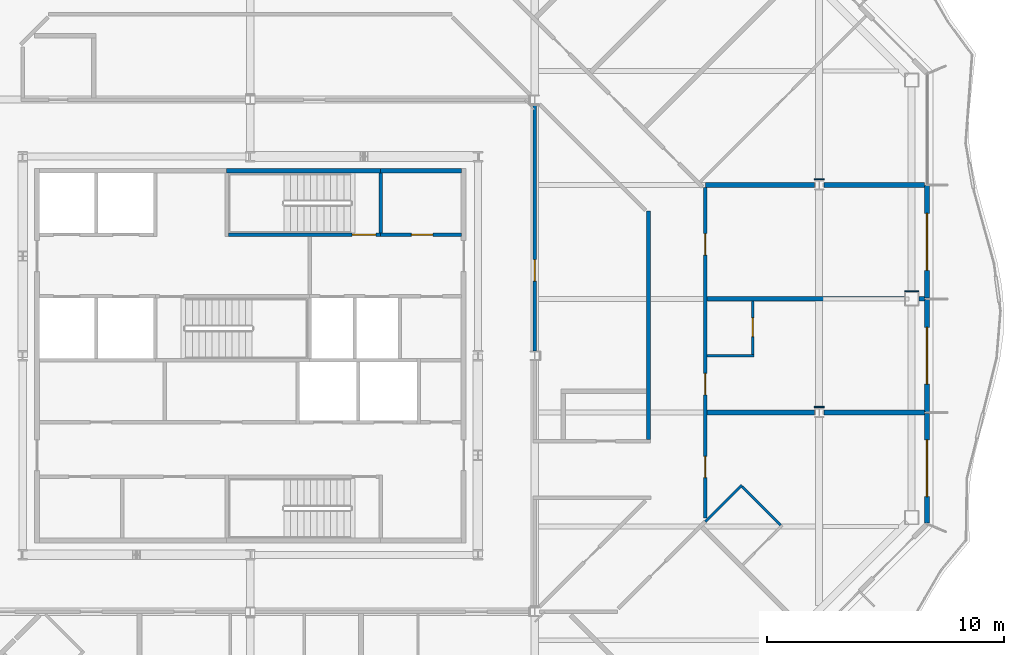
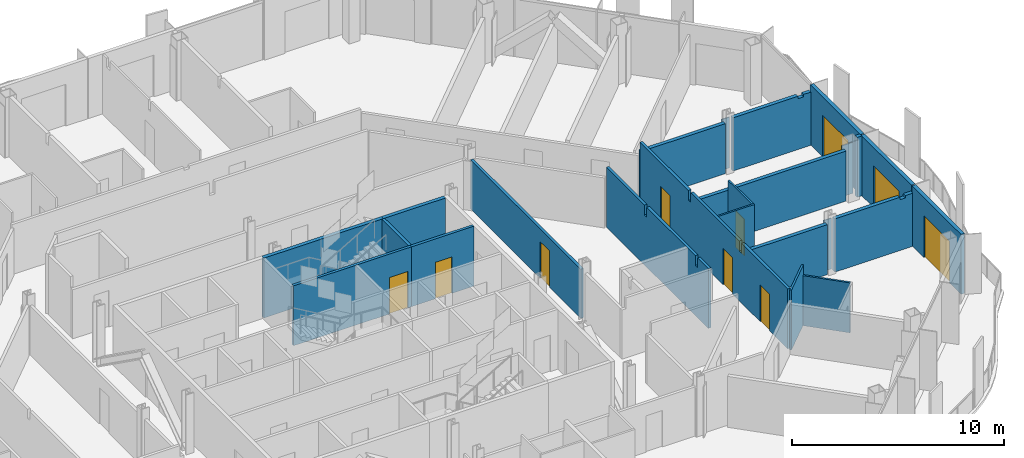
# One storey, part 11 of 21: 24 walls, 10 doors, 10 openings.
"""IFC4 building model written with IfcOpenShell, lengths in metres."""

from ifc_helpers import new_model, si_unit, direction, frame, frame_2d, origin, place, context, subcontext, project, spatial, polyline, rectangle, outline, extrude, material, layer, layer_set, type_object, element, fill, save


model = new_model("IFC4")

# Units and contexts
model_context = context("Model", 3, precision=1e-05, world=origin(), true_north=direction((0.0, 1.0)))
body_context = subcontext(model_context, "Body", "Model", "MODEL_VIEW")
ifc_project = project(units=[si_unit("LENGTHUNIT", "METRE"), si_unit("AREAUNIT", "SQUARE_METRE"), si_unit("VOLUMEUNIT", "CUBIC_METRE"), si_unit("PLANEANGLEUNIT", "RADIAN"), si_unit("MASSUNIT", "GRAM", prefix="KILO")], contexts=[model_context])

# Site, building, storey
site_placement = place(None, origin())
site = spatial("IfcSite", under=ifc_project, at=site_placement, CompositionType="ELEMENT")
building_placement = place(site_placement, origin())
building = spatial("IfcBuilding", under=site, at=building_placement, Name="Cairn Pilgrim Tower", CompositionType="ELEMENT")
storey_placement = place(building_placement, frame((0.0, 0.0, 150.60009765625)))
storey = spatial("IfcBuildingStorey", under=building, at=storey_placement, Name="L37", CompositionType="ELEMENT", Elevation=150.60009765625)

# Wall, opening, door
ifc_material_1 = material(Name="Bronze anodised aluminium insulated sandwich panel with mineral wool fill", Category="aluminium")
ifc_layer_1 = layer(ifc_material_1, 0.199951171875)
ifc_layer_set_1 = layer_set([ifc_layer_1], Name="BRONZE INFILL FRAME WALL 200")
wall_type_1 = type_object("IfcWallType", Name="BRONZE INFILL FRAME WALL 200", PredefinedType="NOTDEFINED", material=ifc_layer_set_1)
wall_1_placement = place(storey_placement, frame((35.75, -4.656494140625, 0.0), z_axis=(0.0, 0.0, 1.0), x_axis=(0.0, 1.0, 0.0)))
wall_1 = element("IfcWall", 1, at=wall_1_placement, inside=storey, type_object=wall_type_1, Name="Bronze infill frame wall IW-E1", PredefinedType="NOTDEFINED", context=body_context, shape_type="SweptSolid", body=[
    extrude(rectangle(XDim=4.62646484375, YDim=0.199951171875, at=frame_2d((2.313232421875, 0.0))), origin(), (0.0, 0.0, 1.0), 3.449951171875),
])
opening_1_placement = place(wall_1_placement, frame((1.1083984375, 0.0, 0.0)))
opening_1 = element("IfcOpeningElement", 2, at=opening_1_placement, cuts=wall_1, Name="Opening 3703B", PredefinedType="OPENING", context=body_context, shape_type="SweptSolid", body=[
    extrude(rectangle(XDim=2.39990234375, YDim=2.39990234375, at=frame_2d((1.199951171875, 1.199951171875))), frame((0.0, 0.10986328125, 0.0), z_axis=(0.0, -1.0, 0.0), x_axis=(1.0, 0.0, 0.0)), (0.0, 0.0, 1.0), 0.219970703125),
])
ifc_material_2 = material(Name="Bronze anodised aluminium frame with tinted low-E glass", Category="aluminium")
door_type_1 = type_object("IfcDoorType", Name="BALCONY SLIDING DOOR 2400x2400", OperationType="DOUBLE_DOOR_SLIDING", PredefinedType="DOOR", material=ifc_material_2)
door_1_placement = place(opening_1_placement, origin())
door_1 = element("IfcDoor", 3, at=door_1_placement, inside=storey, type_object=door_type_1, Name="Balcony sliding door 3703B", OperationType="SINGLE_SWING_LEFT", OverallHeight=2.39990234375, OverallWidth=2.39990234375, PredefinedType="DOOR", context=body_context, shape_type="SweptSolid", body=[
    extrude(rectangle(XDim=2.39990234375, YDim=2.39990234375, at=frame_2d((1.199951171875, 1.199951171875))), frame((0.0, 0.02490234375, 0.0), z_axis=(0.0, -1.0, 0.0), x_axis=(1.0, 0.0, 0.0)), (0.0, 0.0, 1.0), 0.050048828125),
])
fill(opening_1, door_1)

wall_2_placement = place(storey_placement, frame((35.75, 0.030029296875, 0.0), z_axis=(0.0, 0.0, 1.0), x_axis=(0.0, 1.0, 0.0)))
wall_2 = element("IfcWall", 4, at=wall_2_placement, inside=storey, type_object=wall_type_1, Name="Bronze infill frame wall IW-E2", PredefinedType="NOTDEFINED", context=body_context, shape_type="SweptSolid", body=[
    extrude(rectangle(XDim=4.739990234375, YDim=0.199951171875, at=frame_2d((2.3701171875, 0.0))), origin(), (0.0, 0.0, 1.0), 3.449951171875),
])
opening_2_placement = place(wall_2_placement, frame((1.169921875, 0.0, 0.0)))
opening_2 = element("IfcOpeningElement", 5, at=opening_2_placement, cuts=wall_2, Name="Opening 3704B", PredefinedType="OPENING", context=body_context, shape_type="SweptSolid", body=[
    extrude(rectangle(XDim=2.39990234375, YDim=2.39990234375, at=frame_2d((1.199951171875, 1.199951171875))), frame((0.0, 0.10986328125, 0.0), z_axis=(0.0, -1.0, 0.0), x_axis=(1.0, 0.0, 0.0)), (0.0, 0.0, 1.0), 0.219970703125),
])
door_2_placement = place(opening_2_placement, origin())
door_2 = element("IfcDoor", 6, at=door_2_placement, inside=storey, type_object=door_type_1, Name="Balcony sliding door 3704B", OperationType="SINGLE_SWING_LEFT", OverallHeight=2.39990234375, OverallWidth=2.39990234375, PredefinedType="DOOR", context=body_context, shape_type="SweptSolid", body=[
    extrude(rectangle(XDim=2.39990234375, YDim=2.39990234375, at=frame_2d((1.199951171875, 1.199951171875))), frame((0.0, 0.02490234375, 0.0), z_axis=(0.0, -1.0, 0.0), x_axis=(1.0, 0.0, 0.0)), (0.0, 0.0, 1.0), 0.050048828125),
])
fill(opening_2, door_2)

wall_3_placement = place(storey_placement, frame((35.75, 4.830078125, 0.0), z_axis=(0.0, 0.0, 1.0), x_axis=(0.0, 1.0, 0.0)))
wall_3 = element("IfcWall", 7, at=wall_3_placement, inside=storey, type_object=wall_type_1, Name="Bronze infill frame wall IW-E3", PredefinedType="NOTDEFINED", context=body_context, shape_type="SweptSolid", body=[
    extrude(rectangle(XDim=4.739990234375, YDim=0.199951171875, at=frame_2d((2.3701171875, 0.0))), origin(), (0.0, 0.0, 1.0), 3.449951171875),
])
opening_3_placement = place(wall_3_placement, frame((1.169921875, 0.0, 0.0)))
opening_3 = element("IfcOpeningElement", 8, at=opening_3_placement, cuts=wall_3, Name="Opening 3705B", PredefinedType="OPENING", context=body_context, shape_type="SweptSolid", body=[
    extrude(rectangle(XDim=2.39990234375, YDim=2.39990234375, at=frame_2d((1.199951171875, 1.199951171875))), frame((0.0, 0.10986328125, 0.0), z_axis=(0.0, -1.0, 0.0), x_axis=(1.0, 0.0, 0.0)), (0.0, 0.0, 1.0), 0.219970703125),
])
door_3_placement = place(opening_3_placement, origin())
door_3 = element("IfcDoor", 9, at=door_3_placement, inside=storey, type_object=door_type_1, Name="Balcony sliding door 3705B", OperationType="SINGLE_SWING_LEFT", OverallHeight=2.39990234375, OverallWidth=2.39990234375, PredefinedType="DOOR", context=body_context, shape_type="SweptSolid", body=[
    extrude(rectangle(XDim=2.39990234375, YDim=2.39990234375, at=frame_2d((1.199951171875, 1.199951171875))), frame((0.0, 0.02490234375, 0.0), z_axis=(0.0, -1.0, 0.0), x_axis=(1.0, 0.0, 0.0)), (0.0, 0.0, 1.0), 0.050048828125),
])
fill(opening_3, door_3)

# Wall
ifc_material_3 = material(Name="Concrete C32/40", Category="concrete")
ifc_layer_2 = layer(ifc_material_3, 0.199951171875)
ifc_layer_set_2 = layer_set([ifc_layer_2], Name="CORE OUTER WALL 200 EI 120")
wall_type_2 = type_object("IfcWallType", Name="CORE OUTER WALL 200 EI 120", PredefinedType="SOLIDWALL", material=ifc_layer_set_2)
wall_4_placement = place(storey_placement, frame((12.699951171875, 10.199951171875, 0.0), z_axis=(0.0, 0.0, 1.0), x_axis=(1.0, 0.0, 0.0)))
element("IfcWall", 10, at=wall_4_placement, inside=storey, type_object=wall_type_2, Name="CW:L37:H12-3", PredefinedType="SOLIDWALL", context=body_context, shape_type="SweptSolid", body=[
    extrude(rectangle(XDim=3.400146484375, YDim=0.199951171875, at=frame_2d((1.7001953125, 0.0))), origin(), (0.0, 0.0, 1.0), 3.449951171875),
])

# Wall, opening, door
ifc_layer_3 = layer(ifc_material_3, 0.14990234375)
ifc_layer_set_3 = layer_set([ifc_layer_3], Name="CORE SHAFT WALL 150 EI 120")
wall_type_3 = type_object("IfcWallType", Name="CORE SHAFT WALL 150 EI 120", PredefinedType="SOLIDWALL", material=ifc_layer_set_3)
wall_5_placement = place(storey_placement, frame((12.699951171875, 7.5, 0.0), z_axis=(0.0, 0.0, 1.0), x_axis=(1.0, 0.0, 0.0)))
wall_5 = element("IfcWall", 11, at=wall_5_placement, inside=storey, type_object=wall_type_3, Name="CW:L37:H11-2", PredefinedType="SOLIDWALL", context=body_context, shape_type="SweptSolid", body=[
    extrude(rectangle(XDim=3.400146484375, YDim=0.14990234375, at=frame_2d((1.7001953125, 0.0))), origin(), (0.0, 0.0, 1.0), 3.449951171875),
])
opening_4_placement = place(wall_5_placement, frame((1.300048828125, 0.0, 0.0)))
opening_4 = element("IfcOpeningElement", 12, at=opening_4_placement, cuts=wall_5, Name="Opening RD-R4E", PredefinedType="OPENING", context=body_context, shape_type="SweptSolid", body=[
    extrude(rectangle(XDim=0.89990234375, YDim=2.10009765625, at=frame_2d((0.449951171875, 1.050048828125))), frame((0.0, 0.0849609375, 0.0), z_axis=(0.0, -1.0, 0.0), x_axis=(1.0, 0.0, 0.0)), (0.0, 0.0, 1.0), 0.169921875),
])
ifc_material_4 = material(Name="Painted steel", Category="steel")
door_type_2 = type_object("IfcDoorType", Name="SERVICE ROOM DOOR 900x2100", OperationType="SINGLE_SWING_LEFT", PredefinedType="DOOR", material=ifc_material_4)
door_4_placement = place(opening_4_placement, origin())
door_4 = element("IfcDoor", 13, at=door_4_placement, inside=storey, type_object=door_type_2, Name="RD-R4E", OperationType="SINGLE_SWING_RIGHT", OverallHeight=2.10009765625, OverallWidth=0.89990234375, PredefinedType="DOOR", context=body_context, shape_type="SweptSolid", body=[
    extrude(rectangle(XDim=0.89990234375, YDim=2.10009765625, at=frame_2d((0.449951171875, 1.050048828125))), frame((0.0, 0.02490234375, 0.0), z_axis=(0.0, -1.0, 0.0), x_axis=(1.0, 0.0, 0.0)), (0.0, 0.0, 1.0), 0.050048828125),
])
fill(opening_4, door_4)

# Walls
ifc_material_5 = material(Name="Gypsum partition")
ifc_layer_4 = layer(ifc_material_5, 0.10009765625)
ifc_layer_set_4 = layer_set([ifc_layer_4], Name="PARTITION 100 DRYWALL")
wall_type_4 = type_object("IfcWallType", Name="PARTITION 100 DRYWALL", PredefinedType="PARTITIONING", material=ifc_layer_set_4)
wall_6_placement = place(storey_placement, frame((29.567626953125, -4.74951171875, 0.0), z_axis=(0.0, 0.0, 1.0), x_axis=(-0.707106781187, 0.707106781187, 0.0)))
element("IfcWall", 14, at=wall_6_placement, inside=storey, type_object=wall_type_4, Name="PARTITION W039", PredefinedType="PARTITIONING", context=body_context, shape_type="SweptSolid", body=[
    extrude(rectangle(XDim=2.2998046875, YDim=0.10009765625, at=frame_2d((1.14990234375, 0.0))), origin(), (0.0, 0.0, 1.0), 2.8798828125),
])
wall_7_placement = place(storey_placement, frame((26.39990234375, -4.593994140625, 0.0), z_axis=(0.0, 0.0, 1.0), x_axis=(0.707106781187, 0.707106781187, 0.0)))
element("IfcWall", 15, at=wall_7_placement, inside=storey, type_object=wall_type_4, Name="PARTITION W040", PredefinedType="PARTITIONING", context=body_context, shape_type="SweptSolid", body=[
    extrude(rectangle(XDim=2.179931640625, YDim=0.10009765625, at=frame_2d((1.08984375, 0.0))), origin(), (0.0, 0.0, 1.0), 3.449951171875),
])
wall_8_placement = place(storey_placement, frame((26.47509765625, 2.39990234375, 0.0), z_axis=(0.0, 0.0, 1.0), x_axis=(1.0, 0.0, 0.0)))
element("IfcWall", 16, at=wall_8_placement, inside=storey, type_object=wall_type_4, Name="PARTITION W058", PredefinedType="PARTITIONING", context=body_context, shape_type="SweptSolid", body=[
    extrude(rectangle(XDim=1.974853515625, YDim=0.10009765625, at=frame_2d((0.9873046875, 0.0))), origin(), (0.0, 0.0, 1.0), 3.449951171875),
])

# Wall, opening, door
wall_9_placement = place(storey_placement, frame((28.39990234375, 2.449951171875, 0.0), z_axis=(0.0, 0.0, 1.0), x_axis=(0.0, 1.0, 0.0)))
wall_9 = element("IfcWall", 17, at=wall_9_placement, inside=storey, type_object=wall_type_4, Name="PARTITION W059", PredefinedType="PARTITIONING", context=body_context, shape_type="SweptSolid", body=[
    extrude(outline(polyline([(0.0, 0.0), (2.25, 0.0), (2.25, 2.8798828125), (2.2451171875, 2.8798828125), (2.242919921875, 3.449951171875), (0.0, 3.449951171875), (0.0, 0.0)])), frame((0.0, 0.050048828125, 0.0), z_axis=(0.0, -1.0, 0.0), x_axis=(1.0, 0.0, 0.0)), (0.0, 0.0, 1.0), 0.10009765625),
])
opening_5_placement = place(wall_9_placement, frame((0.75, 0.0, 0.0)))
opening_5 = element("IfcOpeningElement", 18, at=opening_5_placement, cuts=wall_9, Name="Opening 3704A", PredefinedType="OPENING", context=body_context, shape_type="SweptSolid", body=[
    extrude(rectangle(XDim=0.800048828125, YDim=2.10009765625, at=frame_2d((0.39990234375, 1.050048828125))), frame((0.0, 0.06005859375, 0.0), z_axis=(0.0, -1.0, 0.0), x_axis=(1.0, 0.0, 0.0)), (0.0, 0.0, 1.0), 0.1201171875),
])
ifc_material_6 = material(Name="Timber door leaf", Category="wood")
door_type_3 = type_object("IfcDoorType", Name="WC DOOR 800x2100", OperationType="NOTDEFINED", PredefinedType="DOOR", material=ifc_material_6)
door_5_placement = place(opening_5_placement, frame((0.800048828125, 0.0, 0.0), z_axis=(0.0, 0.0, 1.0), x_axis=(-1.0, 0.0, 0.0)))
door_5 = element("IfcDoor", 19, at=door_5_placement, inside=storey, type_object=door_type_3, Name="DOOR 3704A", OperationType="SINGLE_SWING_LEFT", OverallHeight=2.10009765625, OverallWidth=0.800048828125, PredefinedType="DOOR", context=body_context, shape_type="SweptSolid", body=[
    extrude(rectangle(XDim=0.800048828125, YDim=2.10009765625, at=frame_2d((0.39990234375, 1.050048828125))), frame((0.0, 0.02490234375, 0.0), z_axis=(0.0, -1.0, 0.0), x_axis=(1.0, 0.0, 0.0)), (0.0, 0.0, 1.0), 0.050048828125),
])
fill(opening_5, door_5)

# Wall, openings, doors
ifc_layer_5 = layer(ifc_material_5, 0.14990234375)
ifc_layer_set_5 = layer_set([ifc_layer_5], Name="PARTITION 150 DRYWALL EI 60")
wall_type_5 = type_object("IfcWallType", Name="PARTITION 150 DRYWALL EI 60", PredefinedType="PARTITIONING", material=ifc_layer_set_5)
wall_10_placement = place(storey_placement, frame((26.39990234375, -4.4482421875, 0.0), z_axis=(0.0, 0.0, 1.0), x_axis=(0.0, 1.0, 0.0)))
wall_10 = element("IfcWall", 20, at=wall_10_placement, inside=storey, type_object=wall_type_5, Name="PARTITION W041", PredefinedType="PARTITIONING", context=body_context, shape_type="SweptSolid", body=[
    extrude(outline(polyline([(0.0, 0.0), (13.9482421875, 0.0), (13.948486328125, 2.8798828125), (13.943359375, 2.8798828125), (13.94140625, 3.449951171875), (9.353271484375, 3.449951171875), (9.351318359375, 2.8798828125), (9.143310546875, 2.8798828125), (9.141357421875, 3.449951171875), (4.55322265625, 3.449951171875), (4.55126953125, 2.8798828125), (4.34326171875, 2.8798828125), (4.34130859375, 3.449951171875), (0.0, 3.449951171875), (0.0, 0.0)])), frame((0.0, 0.074951171875, 0.0), z_axis=(0.0, -1.0, 0.0), x_axis=(1.0, 0.0, 0.0)), (0.0, 0.0, 1.0), 0.14990234375),
])
opening_6_placement = place(wall_10_placement, frame((1.701171875, 0.0, 0.0)))
opening_6 = element("IfcOpeningElement", 21, at=opening_6_placement, cuts=wall_10, Name="Opening 3703", PredefinedType="OPENING", context=body_context, shape_type="SweptSolid", body=[
    extrude(rectangle(XDim=0.89990234375, YDim=2.10009765625, at=frame_2d((0.449951171875, 1.050048828125))), frame((0.0, 0.0849609375, 0.0), z_axis=(0.0, -1.0, 0.0), x_axis=(1.0, 0.0, 0.0)), (0.0, 0.0, 1.0), 0.169921875),
])
opening_7_placement = place(wall_10_placement, frame((5.1982421875, 0.0, 0.0)))
opening_7 = element("IfcOpeningElement", 22, at=opening_7_placement, cuts=wall_10, Name="Opening 3704", PredefinedType="OPENING", context=body_context, shape_type="SweptSolid", body=[
    extrude(rectangle(XDim=0.89990234375, YDim=2.10009765625, at=frame_2d((0.449951171875, 1.050048828125))), frame((0.0, 0.0849609375, 0.0), z_axis=(0.0, -1.0, 0.0), x_axis=(1.0, 0.0, 0.0)), (0.0, 0.0, 1.0), 0.169921875),
])
opening_8_placement = place(wall_10_placement, frame((11.09521484375, 0.0, 0.0)))
opening_8 = element("IfcOpeningElement", 23, at=opening_8_placement, cuts=wall_10, Name="Opening 3705", PredefinedType="OPENING", context=body_context, shape_type="SweptSolid", body=[
    extrude(rectangle(XDim=0.89990234375, YDim=2.10009765625, at=frame_2d((0.449951171875, 1.050048828125))), frame((0.0, 0.0849609375, 0.0), z_axis=(0.0, -1.0, 0.0), x_axis=(1.0, 0.0, 0.0)), (0.0, 0.0, 1.0), 0.169921875),
])
door_type_4 = type_object("IfcDoorType", Name="ROOM DOOR 900x2100 FD30S", OperationType="NOTDEFINED", PredefinedType="DOOR", material=ifc_material_6)
door_6_placement = place(opening_6_placement, frame((0.89990234375, 0.0, 0.0), z_axis=(0.0, 0.0, 1.0), x_axis=(-1.0, 0.0, 0.0)))
door_6 = element("IfcDoor", 24, at=door_6_placement, inside=storey, type_object=door_type_4, Name="DOOR 3703", OperationType="SINGLE_SWING_LEFT", OverallHeight=2.10009765625, OverallWidth=0.89990234375, PredefinedType="DOOR", context=body_context, shape_type="SweptSolid", body=[
    extrude(rectangle(XDim=0.89990234375, YDim=2.10009765625, at=frame_2d((0.449951171875, 1.050048828125))), frame((0.0, 0.02490234375, 0.0), z_axis=(0.0, -1.0, 0.0), x_axis=(1.0, 0.0, 0.0)), (0.0, 0.0, 1.0), 0.050048828125),
])
fill(opening_6, door_6)
door_7_placement = place(opening_7_placement, frame((0.89990234375, 0.0, 0.0), z_axis=(0.0, 0.0, 1.0), x_axis=(-1.0, 0.0, 0.0)))
door_7 = element("IfcDoor", 25, at=door_7_placement, inside=storey, type_object=door_type_4, Name="DOOR 3704", OperationType="SINGLE_SWING_LEFT", OverallHeight=2.10009765625, OverallWidth=0.89990234375, PredefinedType="DOOR", context=body_context, shape_type="SweptSolid", body=[
    extrude(rectangle(XDim=0.89990234375, YDim=2.10009765625, at=frame_2d((0.449951171875, 1.050048828125))), frame((0.0, 0.02490234375, 0.0), z_axis=(0.0, -1.0, 0.0), x_axis=(1.0, 0.0, 0.0)), (0.0, 0.0, 1.0), 0.050048828125),
])
fill(opening_7, door_7)
door_type_5 = type_object("IfcDoorType", Name="SERVICE DOOR 900x2100 FD30S", OperationType="NOTDEFINED", PredefinedType="DOOR", material=ifc_material_6)
door_8_placement = place(opening_8_placement, frame((0.89990234375, 0.0, 0.0), z_axis=(0.0, 0.0, 1.0), x_axis=(-1.0, 0.0, 0.0)))
door_8 = element("IfcDoor", 26, at=door_8_placement, inside=storey, type_object=door_type_5, Name="DOOR 3705", OperationType="SINGLE_SWING_LEFT", OverallHeight=2.10009765625, OverallWidth=0.89990234375, PredefinedType="DOOR", context=body_context, shape_type="SweptSolid", body=[
    extrude(rectangle(XDim=0.89990234375, YDim=2.10009765625, at=frame_2d((0.449951171875, 1.050048828125))), frame((0.0, 0.02490234375, 0.0), z_axis=(0.0, -1.0, 0.0), x_axis=(1.0, 0.0, 0.0)), (0.0, 0.0, 1.0), 0.050048828125),
])
fill(opening_8, door_8)

# Wall
wall_11_placement = place(storey_placement, frame((24.0, -1.125, 0.0), z_axis=(0.0, 0.0, 1.0), x_axis=(0.0, 1.0, 0.0)))
element("IfcWall", 27, at=wall_11_placement, inside=storey, type_object=wall_type_5, Name="PARTITION W050", PredefinedType="PARTITIONING", context=body_context, shape_type="SweptSolid", body=[
    extrude(outline(polyline([(0.0, 0.0), (9.631103515625, 0.0), (9.631103515625, 3.449951171875), (6.030029296875, 3.449951171875), (6.028076171875, 2.8798828125), (5.820068359375, 2.8798828125), (5.818115234375, 3.449951171875), (1.22998046875, 3.449951171875), (1.22802734375, 2.8798828125), (1.02001953125, 2.8798828125), (1.01806640625, 3.449951171875), (0.0, 3.449951171875), (0.0, 0.0)])), frame((0.0, 0.074951171875, 0.0), z_axis=(0.0, -1.0, 0.0), x_axis=(1.0, 0.0, 0.0)), (0.0, 0.0, 1.0), 0.14990234375),
])

# Wall, opening, door
wall_12_placement = place(storey_placement, frame((19.199951171875, 2.596435546875, 0.0), z_axis=(0.0, 0.0, 1.0), x_axis=(0.0, 1.0, 0.0)))
wall_12 = element("IfcWall", 28, at=wall_12_placement, inside=storey, type_object=wall_type_5, Name="PARTITION W061", PredefinedType="PARTITIONING", context=body_context, shape_type="SweptSolid", body=[
    extrude(rectangle(XDim=10.406982421875, YDim=0.14990234375, at=frame_2d((5.20361328125, 0.0))), origin(), (0.0, 0.0, 1.0), 2.829833984375),
])
opening_9_placement = place(wall_12_placement, frame((2.95361328125, 0.0, 0.0)))
opening_9 = element("IfcOpeningElement", 29, at=opening_9_placement, cuts=wall_12, Name="Opening 3726", PredefinedType="OPENING", context=body_context, shape_type="SweptSolid", body=[
    extrude(rectangle(XDim=0.89990234375, YDim=2.10009765625, at=frame_2d((0.449951171875, 1.050048828125))), frame((0.0, 0.0849609375, 0.0), z_axis=(0.0, -1.0, 0.0), x_axis=(1.0, 0.0, 0.0)), (0.0, 0.0, 1.0), 0.169921875),
])
door_9_placement = place(opening_9_placement, frame((0.89990234375, 0.0, 0.0), z_axis=(0.0, 0.0, 1.0), x_axis=(-1.0, 0.0, 0.0)))
door_9 = element("IfcDoor", 30, at=door_9_placement, inside=storey, type_object=door_type_5, Name="DOOR 3726", OperationType="SINGLE_SWING_LEFT", OverallHeight=2.10009765625, OverallWidth=0.89990234375, PredefinedType="DOOR", context=body_context, shape_type="SweptSolid", body=[
    extrude(rectangle(XDim=0.89990234375, YDim=2.10009765625, at=frame_2d((0.449951171875, 1.050048828125))), frame((0.0, 0.02490234375, 0.0), z_axis=(0.0, -1.0, 0.0), x_axis=(1.0, 0.0, 0.0)), (0.0, 0.0, 1.0), 0.050048828125),
])
fill(opening_9, door_9)

# Walls
ifc_layer_6 = layer(ifc_material_5, 0.050048828125)
ifc_layer_set_6 = layer_set([ifc_layer_6], Name="PARTITION 50 DRYWALL EI 60")
wall_type_6 = type_object("IfcWallType", Name="PARTITION 50 DRYWALL EI 60", PredefinedType="PARTITIONING", material=ifc_layer_set_6)
wall_13_placement = place(storey_placement, frame((30.99560546875, 0.237548828125, 0.0), z_axis=(0.0, 0.0, 1.0), x_axis=(1.0, 0.0, 0.0)))
element("IfcWall", 31, at=wall_13_placement, inside=storey, type_object=wall_type_6, Name="COLUMN CASING WC22", PredefinedType="PARTITIONING", context=body_context, shape_type="SweptSolid", body=[
    extrude(rectangle(XDim=0.408935546875, YDim=0.050048828125, at=frame_2d((0.20458984375, 0.0))), origin(), (0.0, 0.0, 1.0), 2.929931640625),
])
wall_14_placement = place(storey_placement, frame((34.800048828125, 5.125, 0.0), z_axis=(0.0, 0.0, 1.0), x_axis=(1.0, 0.0, 0.0)))
element("IfcWall", 32, at=wall_14_placement, inside=storey, type_object=wall_type_6, Name="COLUMN CASING WC24", PredefinedType="PARTITIONING", context=body_context, shape_type="SweptSolid", body=[
    extrude(rectangle(XDim=0.599853515625, YDim=0.050048828125, at=frame_2d((0.2998046875, 0.0))), origin(), (0.0, 0.0, 1.0), 2.929931640625),
])
wall_15_placement = place(storey_placement, frame((30.99560546875, 9.83740234375, 0.0), z_axis=(0.0, 0.0, 1.0), x_axis=(1.0, 0.0, 0.0)))
element("IfcWall", 33, at=wall_15_placement, inside=storey, type_object=wall_type_6, Name="COLUMN CASING WC28", PredefinedType="PARTITIONING", context=body_context, shape_type="SweptSolid", body=[
    extrude(rectangle(XDim=0.408935546875, YDim=0.050048828125, at=frame_2d((0.20458984375, 0.0))), origin(), (0.0, 0.0, 1.0), 2.929931640625),
])
ifc_layer_7 = layer(ifc_material_5, 0.199951171875)
ifc_layer_set_7 = layer_set([ifc_layer_7], Name="SHAFT WALL 200 GYPSUM EI 60")
wall_type_7 = type_object("IfcWallType", Name="SHAFT WALL 200 GYPSUM EI 60", PredefinedType="PARTITIONING", material=ifc_layer_set_7)
wall_16_placement = place(storey_placement, frame((26.47509765625, 0.0, 0.0), z_axis=(0.0, 0.0, 1.0), x_axis=(1.0, 0.0, 0.0)))
element("IfcWall", 34, at=wall_16_placement, inside=storey, type_object=wall_type_7, Name="PARTITION W053", PredefinedType="PARTITIONING", context=body_context, shape_type="SweptSolid", body=[
    extrude(rectangle(XDim=4.5205078125, YDim=0.199951171875, at=frame_2d((2.26025390625, 0.0))), origin(), (0.0, 0.0, 1.0), 2.8798828125),
])
wall_17_placement = place(storey_placement, frame((31.404541015625, 0.0, 0.0), z_axis=(0.0, 0.0, 1.0), x_axis=(1.0, 0.0, 0.0)))
element("IfcWall", 35, at=wall_17_placement, inside=storey, type_object=wall_type_7, Name="PARTITION W054", PredefinedType="PARTITIONING", context=body_context, shape_type="SweptSolid", body=[
    extrude(outline(polyline([(0.0, 0.0), (4.245361328125, 0.0), (4.24560546875, 3.06982421875), (3.845458984375, 3.06982421875), (3.843505859375, 2.929931640625), (3.54541015625, 2.929931640625), (3.54345703125, 3.06982421875), (0.0, 3.06982421875), (0.0, 0.0)])), frame((0.0, 0.10009765625, 0.0), z_axis=(0.0, -1.0, 0.0), x_axis=(1.0, 0.0, 0.0)), (0.0, 0.0, 1.0), 0.199951171875),
])
wall_18_placement = place(storey_placement, frame((26.47509765625, 4.800048828125, 0.0), z_axis=(0.0, 0.0, 1.0), x_axis=(1.0, 0.0, 0.0)))
element("IfcWall", 36, at=wall_18_placement, inside=storey, type_object=wall_type_7, Name="PARTITION W064", PredefinedType="PARTITIONING", context=body_context, shape_type="SweptSolid", body=[
    extrude(rectangle(XDim=8.324951171875, YDim=0.199951171875, at=frame_2d((4.16259765625, 0.0))), origin(), (0.0, 0.0, 1.0), 2.8798828125),
])
wall_19_placement = place(storey_placement, frame((35.39990234375, 4.800048828125, 0.0), z_axis=(0.0, 0.0, 1.0), x_axis=(1.0, 0.0, 0.0)))
element("IfcWall", 37, at=wall_19_placement, inside=storey, type_object=wall_type_7, Name="PARTITION W065", PredefinedType="PARTITIONING", context=body_context, shape_type="SweptSolid", body=[
    extrude(rectangle(XDim=0.25, YDim=0.199951171875, at=frame_2d((0.125, 0.0))), origin(), (0.0, 0.0, 1.0), 3.449951171875),
])
wall_20_placement = place(storey_placement, frame((26.400146484375, 9.60009765625, 0.0), z_axis=(0.0, 0.0, 1.0), x_axis=(1.0, 0.0, 0.0)))
element("IfcWall", 38, at=wall_20_placement, inside=storey, type_object=wall_type_7, Name="PARTITION W074", PredefinedType="PARTITIONING", context=body_context, shape_type="SweptSolid", body=[
    extrude(rectangle(XDim=4.595458984375, YDim=0.199951171875, at=frame_2d((2.2978515625, 0.0))), origin(), (0.0, 0.0, 1.0), 2.8798828125),
])
wall_21_placement = place(storey_placement, frame((31.404541015625, 9.60009765625, 0.0), z_axis=(0.0, 0.0, 1.0), x_axis=(1.0, 0.0, 0.0)))
element("IfcWall", 39, at=wall_21_placement, inside=storey, type_object=wall_type_7, Name="PARTITION W075", PredefinedType="PARTITIONING", context=body_context, shape_type="SweptSolid", body=[
    extrude(outline(polyline([(0.0, 0.0), (4.245361328125, 0.0), (4.24560546875, 3.06982421875), (3.845458984375, 3.06982421875), (3.843505859375, 2.929931640625), (3.54541015625, 2.929931640625), (3.54345703125, 3.06982421875), (0.0, 3.06982421875), (0.0, 0.0)])), frame((0.0, 0.10009765625, 0.0), z_axis=(0.0, -1.0, 0.0), x_axis=(1.0, 0.0, 0.0)), (0.0, 0.0, 1.0), 0.199951171875),
])

# Wall, opening, door
ifc_material_7 = material(Name="Concrete C35/45", Category="concrete")
ifc_layer_8 = layer(ifc_material_7, 0.14990234375)
ifc_layer_set_8 = layer_set([ifc_layer_8], Name="STAIR SHAFT WALL 150 EI 120")
wall_type_8 = type_object("IfcWallType", Name="STAIR SHAFT WALL 150 EI 120", PredefinedType="SOLIDWALL", material=ifc_layer_set_8)
wall_22_placement = place(storey_placement, frame((6.27490234375, 7.5, 0.0), z_axis=(0.0, 0.0, 1.0), x_axis=(1.0, 0.0, 0.0)))
wall_22 = element("IfcWall", 40, at=wall_22_placement, inside=storey, type_object=wall_type_8, Name="CW:L37:H11-1", PredefinedType="SOLIDWALL", context=body_context, shape_type="SweptSolid", body=[
    extrude(rectangle(XDim=6.425048828125, YDim=0.14990234375, at=frame_2d((3.21240234375, 0.0))), origin(), (0.0, 0.0, 1.0), 3.449951171875),
])
opening_10_placement = place(wall_22_placement, frame((5.22509765625, 0.0, 0.0)))
opening_10 = element("IfcOpeningElement", 41, at=opening_10_placement, cuts=wall_22, Name="Opening SD-C", PredefinedType="OPENING", context=body_context, shape_type="SweptSolid", body=[
    extrude(rectangle(XDim=1.0, YDim=2.10009765625, at=frame_2d((0.5, 1.050048828125))), frame((0.0, 0.0849609375, 0.0), z_axis=(0.0, -1.0, 0.0), x_axis=(1.0, 0.0, 0.0)), (0.0, 0.0, 1.0), 0.169921875),
])
door_type_6 = type_object("IfcDoorType", Name="STAIR DOOR FD60S 1000x2100", OperationType="SINGLE_SWING_LEFT", PredefinedType="DOOR", material=ifc_material_4)
door_10_placement = place(opening_10_placement, origin())
door_10 = element("IfcDoor", 42, at=door_10_placement, inside=storey, type_object=door_type_6, Name="SD-C", OperationType="SINGLE_SWING_LEFT", OverallHeight=2.10009765625, OverallWidth=1.0, PredefinedType="DOOR", context=body_context, shape_type="SweptSolid", body=[
    extrude(rectangle(XDim=1.0, YDim=2.10009765625, at=frame_2d((0.5, 1.050048828125))), frame((0.0, 0.02490234375, 0.0), z_axis=(0.0, -1.0, 0.0), x_axis=(1.0, 0.0, 0.0)), (0.0, 0.0, 1.0), 0.050048828125),
])
fill(opening_10, door_10)

# Walls
wall_23_placement = place(storey_placement, frame((12.699951171875, 7.574951171875, 0.0), z_axis=(0.0, 0.0, 1.0), x_axis=(0.0, 1.0, 0.0)))
element("IfcWall", 43, at=wall_23_placement, inside=storey, type_object=wall_type_8, Name="CW:L37:V28", PredefinedType="SOLIDWALL", context=body_context, shape_type="SweptSolid", body=[
    extrude(rectangle(XDim=2.525146484375, YDim=0.14990234375, at=frame_2d((1.2626953125, 0.0))), origin(), (0.0, 0.0, 1.0), 3.449951171875),
])
ifc_layer_9 = layer(ifc_material_7, 0.199951171875)
ifc_layer_set_9 = layer_set([ifc_layer_9], Name="STAIR SHAFT WALL 200 EI 120")
wall_type_9 = type_object("IfcWallType", Name="STAIR SHAFT WALL 200 EI 120", PredefinedType="SOLIDWALL", material=ifc_layer_set_9)
wall_24_placement = place(storey_placement, frame((6.199951171875, 10.199951171875, 0.0), z_axis=(0.0, 0.0, 1.0), x_axis=(1.0, 0.0, 0.0)))
element("IfcWall", 44, at=wall_24_placement, inside=storey, type_object=wall_type_9, Name="CW:L37:H12-2", PredefinedType="SOLIDWALL", context=body_context, shape_type="SweptSolid", body=[
    extrude(rectangle(XDim=6.5, YDim=0.199951171875, at=frame_2d((3.25, 0.0))), origin(), (0.0, 0.0, 1.0), 3.449951171875),
])

save(model, "model.ifc")
